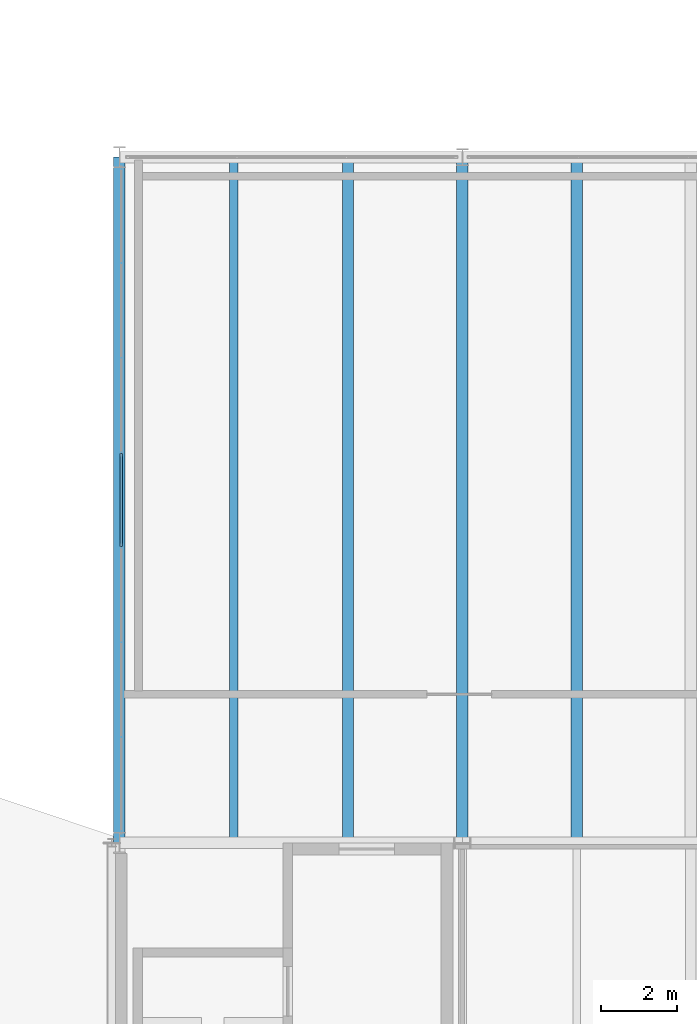
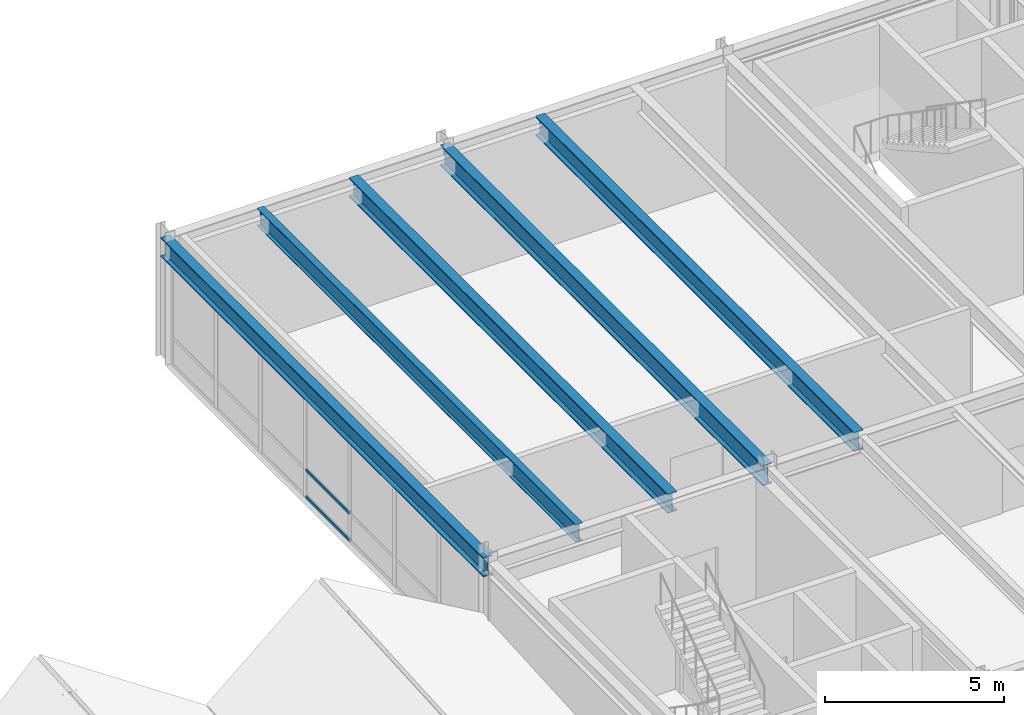
# One storey, part 76 of 142: 5 beams, 3 members, 1 element without a shape of its own.
"""IFC4 building model written with IfcOpenShell, lengths in metres."""

from ifc_helpers import new_model, si_unit, direction, frame, origin, origin_2d, place, context, subcontext, project, spatial, hollow_rectangle, i_section, extrude, material, layer, layer_set, material_profile, profile_set, type_object, element, aggregate, save


model = new_model("IFC4")

# Units and contexts
model_context = context("Model", 3, precision=1e-05, world=origin(), true_north=direction((0.0, 1.0)))
body_context = subcontext(model_context, "Body", "Model", "MODEL_VIEW")
ifc_project = project(units=[si_unit("LENGTHUNIT", "METRE"), si_unit("AREAUNIT", "SQUARE_METRE"), si_unit("VOLUMEUNIT", "CUBIC_METRE"), si_unit("PLANEANGLEUNIT", "RADIAN"), si_unit("MASSUNIT", "GRAM", prefix="KILO")], contexts=[model_context])

# Site, building, storey
site_placement = place(None, origin())
site = spatial("IfcSite", under=ifc_project, at=site_placement, CompositionType="ELEMENT")
building_placement = place(site_placement, origin())
building = spatial("IfcBuilding", under=site, at=building_placement, Name="Montelvaro Courts of Justice", CompositionType="ELEMENT")
storey_placement = place(building_placement, frame((0.0, 0.0, 14.39990234375)))
storey = spatial("IfcBuildingStorey", under=building, at=storey_placement, Name="L03", CompositionType="ELEMENT", Elevation=14.39990234375)

# Beams
ifc_material_1 = material(Name="Steel S355", Category="steel")
ifc_material_profile_1 = material_profile(ifc_material_1, i_section(OverallWidth=0.300048828125, OverallDepth=0.64990234375, WebThickness=0.01611328125, FlangeThickness=0.031005859375, at=origin_2d()), Name="HEB 650")
ifc_profile_set_1 = profile_set([ifc_material_profile_1], Name="Steel S355")
beam_type_1 = type_object("IfcBeamType", Name="Beam_HEB650", PredefinedType="USERDEFINED", material=ifc_profile_set_1)
beam_1_placement = place(storey_placement, frame((99.0, 78.0, 3.875), z_axis=(0.0, 1.0, 0.0), x_axis=(-1.0, 0.0, 0.0)))
element("IfcBeam", 1, at=beam_1_placement, inside=storey, type_object=beam_type_1, Name="Beam B-27 L03", ObjectType="GIRDER", PredefinedType="USERDEFINED", context=body_context, shape_type="SweptSolid", body=[
    extrude(i_section(OverallWidth=0.300048828125, OverallDepth=0.64990234375, WebThickness=0.01611328125, FlangeThickness=0.031005859375, at=origin_2d()), origin(), (0.0, 0.0, 1.0), 18.0),
])
for number, where, z_axis, x_axis, name in (
    (2, (105.0, 78.110107421875, 3.875), (0.0, 1.0, 0.0), (-1.0, 0.0, 0.0), "Beam B-27 L03"),
    (3, (111.0, 78.110107421875, 3.875), (0.0, 1.0, 0.0), (-1.0, 0.0, 0.0), "Beam B-27 L03"),
):
    element("IfcBeam", number, at=place(storey_placement, frame(where, z_axis=z_axis, x_axis=x_axis)), inside=storey, type_object=beam_type_1, Name=name, ObjectType="GIRDER", PredefinedType="USERDEFINED", context=body_context, shape_type="SweptSolid", body=[
        extrude(i_section(OverallWidth=0.300048828125, OverallDepth=0.64990234375, WebThickness=0.01611328125, FlangeThickness=0.031005859375, at=origin_2d()), origin(), (0.0, 0.0, 1.0), 17.77978515625),
    ])
ifc_material_profile_2 = material_profile(ifc_material_1, i_section(OverallWidth=0.300048828125, OverallDepth=0.699951171875, WebThickness=0.01708984375, FlangeThickness=0.031982421875, at=origin_2d()), Name="HEB 700")
ifc_profile_set_2 = profile_set([ifc_material_profile_2], Name="Steel S355")
beam_type_2 = type_object("IfcBeamType", Name="Beam_HEB700", PredefinedType="USERDEFINED", material=ifc_profile_set_2)
beam_2_placement = place(storey_placement, frame((108.0, 78.0, 3.85009765625), z_axis=(0.0, 1.0, 0.0), x_axis=(-1.0, 0.0, 0.0)))
element("IfcBeam", 4, at=beam_2_placement, inside=storey, type_object=beam_type_2, Name="Beam B-28 L03", ObjectType="GIRDER", PredefinedType="USERDEFINED", context=body_context, shape_type="SweptSolid", body=[
    extrude(i_section(OverallWidth=0.300048828125, OverallDepth=0.699951171875, WebThickness=0.01708984375, FlangeThickness=0.031982421875, at=origin_2d()), origin(), (0.0, 0.0, 1.0), 18.0),
])
ifc_material_profile_3 = material_profile(ifc_material_1, i_section(OverallWidth=0.219970703125, OverallDepth=0.60009765625, WebThickness=0.011962890625, FlangeThickness=0.01904296875, at=origin_2d()), Name="IPE 600")
ifc_profile_set_3 = profile_set([ifc_material_profile_3], Name="Steel S355")
beam_type_3 = type_object("IfcBeamType", Name="Beam_IPE600", PredefinedType="USERDEFINED", material=ifc_profile_set_3)
beam_3_placement = place(storey_placement, frame((102.0, 78.110107421875, 3.900146484375), z_axis=(0.0, 1.0, 0.0), x_axis=(-1.0, 0.0, 0.0)))
element("IfcBeam", 5, at=beam_3_placement, inside=storey, type_object=beam_type_3, Name="Beam B-12 L03", ObjectType="GIRDER", PredefinedType="USERDEFINED", context=body_context, shape_type="SweptSolid", body=[
    extrude(i_section(OverallWidth=0.219970703125, OverallDepth=0.60009765625, WebThickness=0.011962890625, FlangeThickness=0.01904296875, at=origin_2d()), origin(), (0.0, 0.0, 1.0), 17.77978515625),
])

# Curtain wall, members
ifc_material_2 = material(Name="Anodised aluminium EN AW-6063", Category="aluminium")
ifc_layer = layer(ifc_material_2, 0.159912109375)
ifc_layer_set = layer_set([ifc_layer], Name="Anodised aluminium EN AW-6063")
curtain_wall_type = type_object("IfcCurtainWallType", Name="CurtainWall_30_1742x418", PredefinedType="USERDEFINED", material=ifc_layer_set)
curtain_wall_placement = place(storey_placement, origin())
curtain_wall = element("IfcCurtainWall", 6, at=curtain_wall_placement, inside=storey, type_object=curtain_wall_type, Name="Curtain Wall CW-30 (L03)", ObjectType="CURTAIN WALL", PredefinedType="USERDEFINED")
ifc_material_profile_4 = material_profile(ifc_material_2, hollow_rectangle(XDim=0.06005859375, YDim=0.10009765625, WallThickness=0.00341796875, at=origin_2d()), Name="ALU-T 60x100")
ifc_profile_set_4 = profile_set([ifc_material_profile_4], Name="Anodised aluminium EN AW-6063")
member_type = type_object("IfcMemberType", Name="CurtainWall_Transom_60x100", PredefinedType="USERDEFINED", material=ifc_profile_set_4)
member_1_placement = place(storey_placement, frame((99.050048828125, 88.21435546875, 0.030029296875), z_axis=(0.0, -1.0, 0.0), x_axis=(1.0, 0.0, 0.0)))
member_1 = element("IfcMember", 7, at=member_1_placement, type_object=member_type, Name="CW-30 transom 4.1", ObjectType="TRANSOM", PredefinedType="USERDEFINED", context=body_context, shape_type="SweptSolid", body=[
    extrude(hollow_rectangle(XDim=0.06005859375, YDim=0.10009765625, WallThickness=0.00341796875, at=origin_2d()), origin(), (0.0, 0.0, 1.0), 2.4287109375),
])
member_2_placement = place(storey_placement, frame((99.050048828125, 88.21435546875, 0.9501953125), z_axis=(0.0, -1.0, 0.0), x_axis=(1.0, 0.0, 0.0)))
member_2 = element("IfcMember", 8, at=member_2_placement, type_object=member_type, Name="CW-30 transom 4.2", ObjectType="TRANSOM", PredefinedType="USERDEFINED", context=body_context, shape_type="SweptSolid", body=[
    extrude(hollow_rectangle(XDim=0.06005859375, YDim=0.10009765625, WallThickness=0.00341796875, at=origin_2d()), origin(), (0.0, 0.0, 1.0), 2.4287109375),
])
member_3_placement = place(storey_placement, frame((99.050048828125, 88.21435546875, 3.51513671875), z_axis=(0.0, -1.0, 0.0), x_axis=(1.0, 0.0, 0.0)))
member_3 = element("IfcMember", 9, at=member_3_placement, type_object=member_type, Name="CW-30 transom 4.3", ObjectType="TRANSOM", PredefinedType="USERDEFINED", context=body_context, shape_type="SweptSolid", body=[
    extrude(hollow_rectangle(XDim=0.06005859375, YDim=0.10009765625, WallThickness=0.00341796875, at=origin_2d()), origin(), (0.0, 0.0, 1.0), 2.4287109375),
])
aggregate(curtain_wall, [member_1, member_2, member_3])

save(model, "model.ifc")
